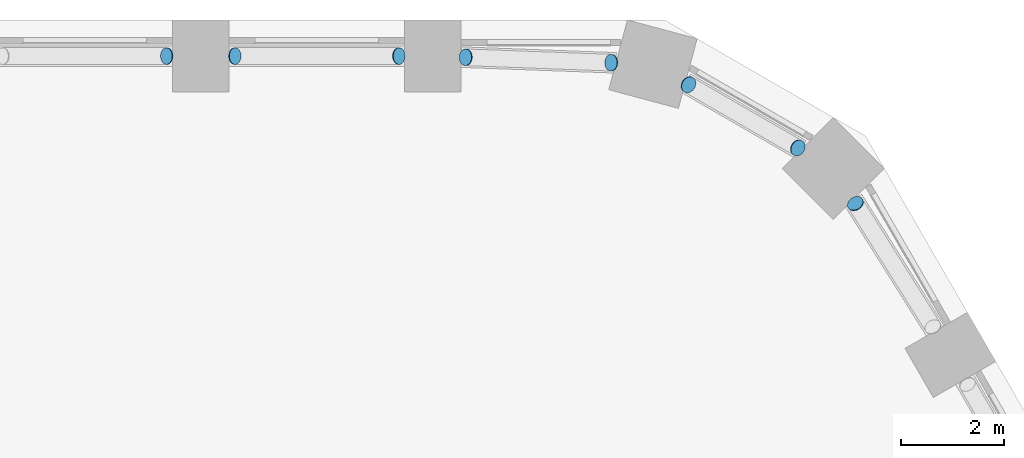
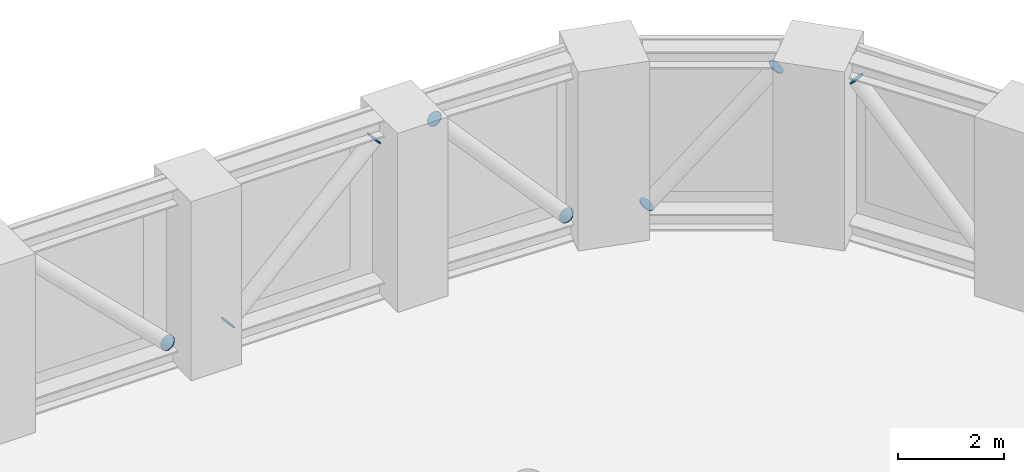
# One storey, part 15 of 18: 8 discrete accessories.
"""IFC4 building model written with IfcOpenShell, lengths in metres."""

from ifc_helpers import new_model, si_unit, direction, frame, origin, origin_2d, place, context, subcontext, project, spatial, circle, extrude, material, material_profile, profile_set, type_object, element, save


model = new_model("IFC4")

# Units and contexts
model_context = context("Model", 3, precision=1e-05, world=origin(), true_north=direction((0.0, 1.0)))
body_context = subcontext(model_context, "Body", "Model", "MODEL_VIEW")
ifc_project = project(units=[si_unit("LENGTHUNIT", "METRE"), si_unit("AREAUNIT", "SQUARE_METRE"), si_unit("VOLUMEUNIT", "CUBIC_METRE"), si_unit("PLANEANGLEUNIT", "RADIAN"), si_unit("MASSUNIT", "GRAM", prefix="KILO")], contexts=[model_context])

# Site, building, storey
site_placement = place(None, origin())
site = spatial("IfcSite", under=ifc_project, at=site_placement, CompositionType="ELEMENT")
building_placement = place(site_placement, origin())
building = spatial("IfcBuilding", under=site, at=building_placement, Name="Dhurran Vertical Campus", CompositionType="ELEMENT")
storey_placement = place(building_placement, frame((0.0, 0.0, 76.800048828125)))
storey = spatial("IfcBuildingStorey", under=building, at=storey_placement, Name="L18 Plant", CompositionType="ELEMENT", Elevation=76.800048828125)

# Discrete accessories
ifc_material = material(Name="Steel S355J2", Category="steel")
ifc_material_profile = material_profile(ifc_material, circle(Radius=0.161865234375, at=origin_2d()), Name="Tube end cap 324 x 20")
ifc_profile_set = profile_set([ifc_material_profile], Name="Steel S355J2")
discrete_accessory_type = type_object("IfcDiscreteAccessoryType", Name="Tube end cap 324 x 20", PredefinedType="USERDEFINED", material=ifc_profile_set)
for number, where, z_axis, x_axis, name in (
    (1, (23.95263671875, 28.2119140625, 3.6298828125), (-0.35487449747, 0.562904375298, 0.746460149851), (-0.845925602596, -0.533300923376, 0.0), "EC1 belt L18 d24 capB"),
    (2, (20.714111328125, 30.521728515625, 0.486083984375), (-0.523379332727, 0.316461922114, -0.791154805285), (-0.517419338909, -0.855731983581, 0.0), "EC1 belt L18 d25 capA"),
    (3, (22.82568359375, 29.302978515625, 3.638916015625), (0.523379332727, -0.316461922114, 0.791154805285), (0.517419338909, 0.855731983581, 0.0), "EC1 belt L18 d25 capB"),
    (4, (19.205810546875, 30.952392578125, 0.4951171875), (0.669438681395, -0.024343224778, -0.742468355729), (0.036339618107, 0.999339497946, 0.0), "EC1 belt L18 d26 capA"),
    (5, (16.39697265625, 31.055908203125, 3.6298828125), (-0.669438681395, 0.024343224778, 0.742468355729), (-0.036339618107, -0.999339497946, 0.0), "EC1 belt L18 d26 capB"),
):
    element("IfcDiscreteAccessory", number, at=place(storey_placement, frame(where, z_axis=z_axis, x_axis=x_axis)), inside=storey, type_object=discrete_accessory_type, Name=name, ObjectType="END CAP", PredefinedType="USERDEFINED", context=body_context, shape_type="SweptSolid", body=[
        extrude(circle(Radius=0.161865234375, at=origin_2d()), origin(), (0.0, 0.0, 1.0), 0.02001953125),
    ])
discrete_accessory_1_placement = place(storey_placement, frame((11.9169921875, 31.079833984375, 0.502197265625), z_axis=(-0.713228571152, 0.0, -0.700931526822), x_axis=(0.0, -1.0, 0.0)))
element("IfcDiscreteAccessory", 6, at=discrete_accessory_1_placement, inside=storey, type_object=discrete_accessory_type, Name="EC1 belt L18 d27 capA", ObjectType="END CAP", PredefinedType="USERDEFINED", context=body_context, shape_type="SweptSolid", body=[
    extrude(circle(Radius=0.161865234375, at=origin_2d()), origin(), (0.0, 0.0, 1.0), 0.019775390625),
])
discrete_accessory_2_placement = place(storey_placement, frame((15.0830078125, 31.079833984375, 3.62255859375), z_axis=(0.707106781187, 0.0, 0.707106781187), x_axis=(0.0, 1.0, 0.0)))
element("IfcDiscreteAccessory", 7, at=discrete_accessory_2_placement, inside=storey, type_object=discrete_accessory_type, Name="EC1 belt L18 d27 capB", ObjectType="END CAP", PredefinedType="USERDEFINED", context=body_context, shape_type="SweptSolid", body=[
    extrude(circle(Radius=0.161865234375, at=origin_2d()), origin(), (0.0, 0.0, 1.0), 0.02001953125),
])
discrete_accessory_3_placement = place(storey_placement, frame((10.5830078125, 31.079833984375, 0.502197265625), z_axis=(0.713228571152, 0.0, -0.700931526822), x_axis=(0.0, 1.0, 0.0)))
element("IfcDiscreteAccessory", 8, at=discrete_accessory_3_placement, inside=storey, type_object=discrete_accessory_type, Name="EC1 belt L18 d28 capA", ObjectType="END CAP", PredefinedType="USERDEFINED", context=body_context, shape_type="SweptSolid", body=[
    extrude(circle(Radius=0.161865234375, at=origin_2d()), origin(), (0.0, 0.0, 1.0), 0.019775390625),
])

save(model, "model.ifc")
